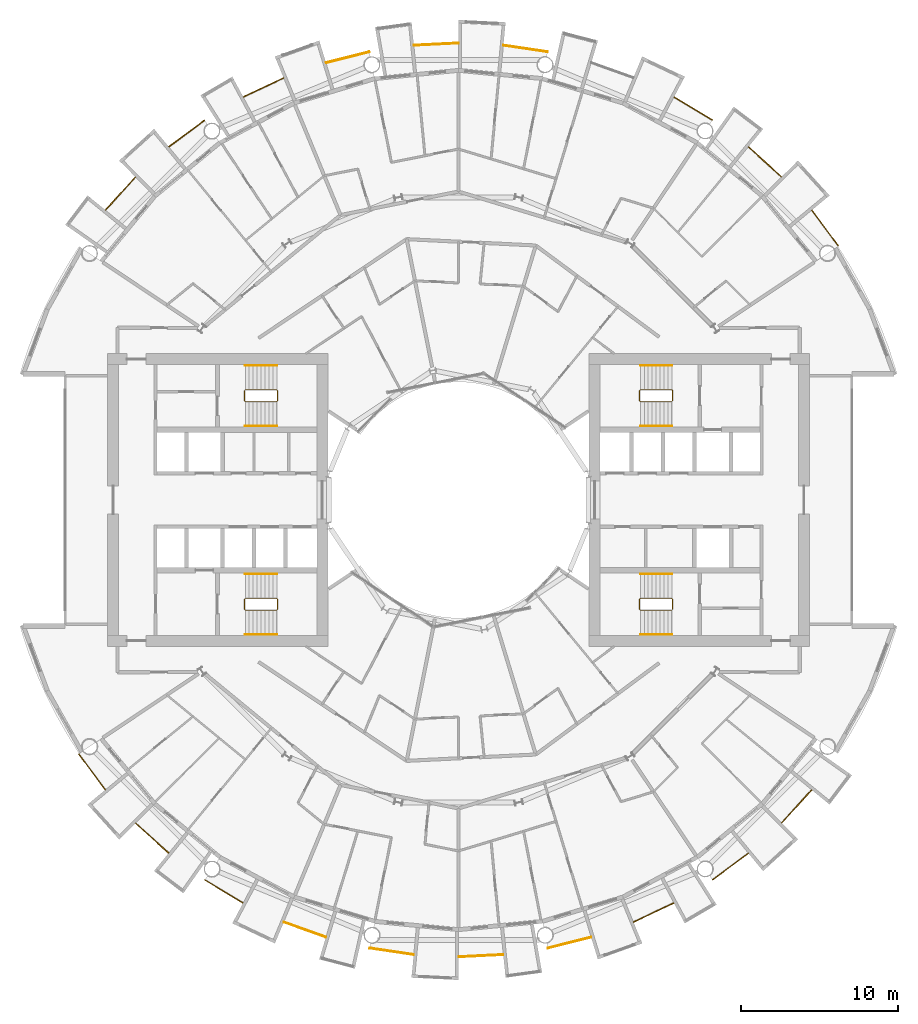
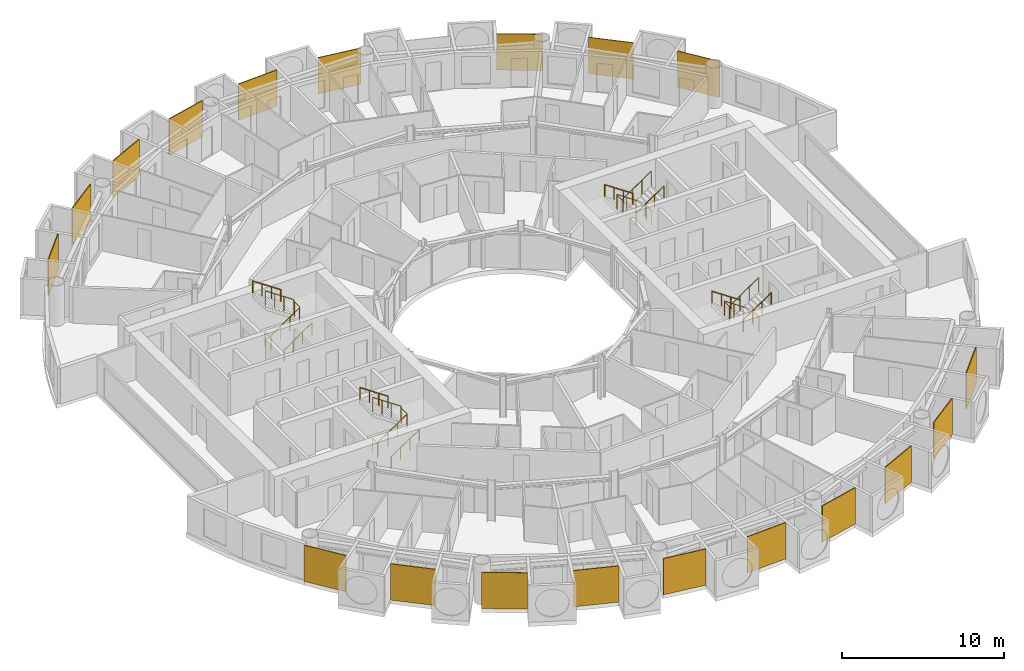
# One storey, part 25 of 26: 31 railings.
"""IFC4 building model written with IfcOpenShell, lengths in metres."""

from ifc_helpers import new_model, si_unit, direction, frame, origin, origin_2d, place, context, subcontext, project, spatial, polyline, circle, outline, extrude, material, layer, layer_set, type_object, element, save


model = new_model("IFC4")

# Units and contexts
model_context = context("Model", 3, precision=1e-05, world=origin(), true_north=direction((0.0, 1.0)))
body_context = subcontext(model_context, "Body", "Model", "MODEL_VIEW")
ifc_project = project(units=[si_unit("LENGTHUNIT", "METRE"), si_unit("AREAUNIT", "SQUARE_METRE"), si_unit("VOLUMEUNIT", "CUBIC_METRE"), si_unit("PLANEANGLEUNIT", "RADIAN"), si_unit("MASSUNIT", "GRAM", prefix="KILO")], contexts=[model_context])

# Site, building, storey
site_placement = place(None, origin())
site = spatial("IfcSite", under=ifc_project, at=site_placement, CompositionType="ELEMENT")
building_placement = place(site_placement, origin())
building = spatial("IfcBuilding", under=site, at=building_placement, Name="Maasbend Ring Residences", CompositionType="ELEMENT")
storey_placement = place(building_placement, frame((0.0, 0.0, 88.0)))
storey = spatial("IfcBuildingStorey", under=building, at=storey_placement, Name="L25", CompositionType="ELEMENT", Elevation=88.0)

# Railings
ifc_material_1 = material(Name="Pale anodised perforated aluminium", Category="aluminium")
ifc_layer = layer(ifc_material_1, 0.06005859375)
ifc_layer_set = layer_set([ifc_layer], Name="SCREEN-P")
railing_type_1 = type_object("IfcRailingType", Name="SCREEN-P", PredefinedType="GUARDRAIL", material=ifc_layer_set)
railing_1_placement = place(storey_placement, frame((0.0, 0.0, -0.030029296875)))
element("IfcRailing", 1, at=railing_1_placement, inside=storey, type_object=railing_type_1, Name="Perforated screen guard 1", PredefinedType="GUARDRAIL", context=body_context, shape_type="SweptSolid", body=[
    extrude(outline(polyline([(24.113037109375, 16.112060546875), (22.4169921875, 18.39697265625), (22.465087890625, 18.43310546875), (24.160888671875, 16.14697265625), (24.113037109375, 16.112060546875)])), origin(), (0.0, 0.0, 1.0), 2.72998046875),
])
railing_2_placement = place(storey_placement, frame((0.0, 0.0, -0.030029296875)))
element("IfcRailing", 2, at=railing_2_placement, inside=storey, type_object=railing_type_1, Name="Perforated screen guard 2", PredefinedType="GUARDRAIL", context=body_context, shape_type="SweptSolid", body=[
    extrude(outline(polyline([(20.506103515625, 20.506103515625), (18.39697265625, 22.4169921875), (18.43798828125, 22.4619140625), (20.5458984375, 20.551025390625), (20.506103515625, 20.506103515625)])), origin(), (0.0, 0.0, 1.0), 2.72998046875),
])
railing_3_placement = place(storey_placement, frame((0.0, 0.0, -0.030029296875)))
element("IfcRailing", 3, at=railing_3_placement, inside=storey, type_object=railing_type_1, Name="Perforated screen guard 3", PredefinedType="GUARDRAIL", context=body_context, shape_type="SweptSolid", body=[
    extrude(outline(polyline([(16.112060546875, 24.113037109375), (13.6708984375, 25.575927734375), (13.700927734375, 25.626953125), (16.14208984375, 24.1640625), (16.112060546875, 24.113037109375)])), origin(), (0.0, 0.0, 1.0), 2.72998046875),
])
railing_4_placement = place(storey_placement, frame((0.0, 0.0, -0.030029296875)))
element("IfcRailing", 4, at=railing_4_placement, inside=storey, type_object=railing_type_1, Name="Perforated screen guard 5", PredefinedType="GUARDRAIL", context=body_context, shape_type="SweptSolid", body=[
    extrude(outline(polyline([(5.657958984375, 28.443115234375), (2.842041015625, 28.860107421875), (2.85107421875, 28.919921875), (5.666015625, 28.501953125), (5.657958984375, 28.443115234375)])), origin(), (0.0, 0.0, 1.0), 2.72998046875),
])
railing_5_placement = place(storey_placement, frame((0.0, 0.0, -0.030029296875)))
element("IfcRailing", 5, at=railing_5_placement, inside=storey, type_object=railing_type_1, Name="Perforated screen guard 6", PredefinedType="GUARDRAIL", context=body_context, shape_type="SweptSolid", body=[
    extrude(outline(polyline([(0.0, 29.0), (-2.842041015625, 28.860107421875), (-2.844970703125, 28.919921875), (-0.0029296875, 29.06005859375), (0.0, 29.0)])), origin(), (0.0, 0.0, 1.0), 2.72998046875),
])
railing_6_placement = place(storey_placement, frame((0.0, 0.0, -0.030029296875)))
element("IfcRailing", 6, at=railing_6_placement, inside=storey, type_object=railing_type_1, Name="Perforated screen guard 7", PredefinedType="GUARDRAIL", context=body_context, shape_type="SweptSolid", body=[
    extrude(outline(polyline([(-5.657958984375, 28.443115234375), (-8.41796875, 27.7509765625), (-8.43310546875, 27.80908203125), (-5.672119140625, 28.5009765625), (-5.657958984375, 28.443115234375)])), origin(), (0.0, 0.0, 1.0), 2.72998046875),
])
railing_7_placement = place(storey_placement, frame((0.0, 0.0, -0.030029296875)))
element("IfcRailing", 7, at=railing_7_placement, inside=storey, type_object=railing_type_1, Name="Perforated screen guard 8", PredefinedType="GUARDRAIL", context=body_context, shape_type="SweptSolid", body=[
    extrude(outline(polyline([(-11.097900390625, 26.79296875), (-13.6708984375, 25.575927734375), (-13.696044921875, 25.6298828125), (-11.123046875, 26.846923828125), (-11.097900390625, 26.79296875)])), origin(), (0.0, 0.0, 1.0), 2.72998046875),
])
railing_8_placement = place(storey_placement, frame((0.0, 0.0, -0.030029296875)))
element("IfcRailing", 8, at=railing_8_placement, inside=storey, type_object=railing_type_1, Name="Perforated screen guard 9", PredefinedType="GUARDRAIL", context=body_context, shape_type="SweptSolid", body=[
    extrude(outline(polyline([(-16.112060546875, 24.113037109375), (-18.39697265625, 22.4169921875), (-18.43310546875, 22.465087890625), (-16.14697265625, 24.160888671875), (-16.112060546875, 24.113037109375)])), origin(), (0.0, 0.0, 1.0), 2.72998046875),
])
railing_9_placement = place(storey_placement, frame((0.0, 0.0, -0.030029296875)))
element("IfcRailing", 9, at=railing_9_placement, inside=storey, type_object=railing_type_1, Name="Perforated screen guard 10", PredefinedType="GUARDRAIL", context=body_context, shape_type="SweptSolid", body=[
    extrude(outline(polyline([(-20.506103515625, 20.506103515625), (-22.4169921875, 18.39697265625), (-22.4619140625, 18.43798828125), (-20.551025390625, 20.5458984375), (-20.506103515625, 20.506103515625)])), origin(), (0.0, 0.0, 1.0), 2.72998046875),
])
railing_10_placement = place(storey_placement, frame((0.0, 0.0, -0.030029296875)))
element("IfcRailing", 10, at=railing_10_placement, inside=storey, type_object=railing_type_1, Name="Perforated screen guard 1", PredefinedType="GUARDRAIL", context=body_context, shape_type="SweptSolid", body=[
    extrude(outline(polyline([(-24.113037109375, -16.112060546875), (-22.4169921875, -18.39697265625), (-22.465087890625, -18.43310546875), (-24.160888671875, -16.14697265625), (-24.113037109375, -16.112060546875)])), origin(), (0.0, 0.0, 1.0), 2.72998046875),
])
railing_11_placement = place(storey_placement, frame((0.0, 0.0, -0.030029296875)))
element("IfcRailing", 11, at=railing_11_placement, inside=storey, type_object=railing_type_1, Name="Perforated screen guard 2", PredefinedType="GUARDRAIL", context=body_context, shape_type="SweptSolid", body=[
    extrude(outline(polyline([(-20.506103515625, -20.506103515625), (-18.39697265625, -22.4169921875), (-18.43798828125, -22.4619140625), (-20.5458984375, -20.551025390625), (-20.506103515625, -20.506103515625)])), origin(), (0.0, 0.0, 1.0), 2.72998046875),
])
railing_12_placement = place(storey_placement, frame((0.0, 0.0, -0.030029296875)))
element("IfcRailing", 12, at=railing_12_placement, inside=storey, type_object=railing_type_1, Name="Perforated screen guard 3", PredefinedType="GUARDRAIL", context=body_context, shape_type="SweptSolid", body=[
    extrude(outline(polyline([(-16.112060546875, -24.113037109375), (-13.6708984375, -25.575927734375), (-13.700927734375, -25.626953125), (-16.14208984375, -24.1640625), (-16.112060546875, -24.113037109375)])), origin(), (0.0, 0.0, 1.0), 2.72998046875),
])
railing_13_placement = place(storey_placement, frame((0.0, 0.0, -0.030029296875)))
element("IfcRailing", 13, at=railing_13_placement, inside=storey, type_object=railing_type_1, Name="Perforated screen guard 4", PredefinedType="GUARDRAIL", context=body_context, shape_type="SweptSolid", body=[
    extrude(outline(polyline([(-11.097900390625, -26.79296875), (-8.41796875, -27.7509765625), (-8.43798828125, -27.80810546875), (-11.117919921875, -26.84912109375), (-11.097900390625, -26.79296875)])), origin(), (0.0, 0.0, 1.0), 2.72998046875),
])
railing_14_placement = place(storey_placement, frame((0.0, 0.0, -0.030029296875)))
element("IfcRailing", 14, at=railing_14_placement, inside=storey, type_object=railing_type_1, Name="Perforated screen guard 5", PredefinedType="GUARDRAIL", context=body_context, shape_type="SweptSolid", body=[
    extrude(outline(polyline([(-5.657958984375, -28.443115234375), (-2.842041015625, -28.860107421875), (-2.85107421875, -28.919921875), (-5.666015625, -28.501953125), (-5.657958984375, -28.443115234375)])), origin(), (0.0, 0.0, 1.0), 2.72998046875),
])
railing_15_placement = place(storey_placement, frame((0.0, 0.0, -0.030029296875)))
element("IfcRailing", 15, at=railing_15_placement, inside=storey, type_object=railing_type_1, Name="Perforated screen guard 6", PredefinedType="GUARDRAIL", context=body_context, shape_type="SweptSolid", body=[
    extrude(outline(polyline([(0.0, -29.0), (2.842041015625, -28.860107421875), (2.844970703125, -28.919921875), (0.0029296875, -29.06005859375), (0.0, -29.0)])), origin(), (0.0, 0.0, 1.0), 2.72998046875),
])
railing_16_placement = place(storey_placement, frame((0.0, 0.0, -0.030029296875)))
element("IfcRailing", 16, at=railing_16_placement, inside=storey, type_object=railing_type_1, Name="Perforated screen guard 7", PredefinedType="GUARDRAIL", context=body_context, shape_type="SweptSolid", body=[
    extrude(outline(polyline([(5.657958984375, -28.443115234375), (8.41796875, -27.7509765625), (8.43310546875, -27.80908203125), (5.672119140625, -28.5009765625), (5.657958984375, -28.443115234375)])), origin(), (0.0, 0.0, 1.0), 2.72998046875),
])
railing_17_placement = place(storey_placement, frame((0.0, 0.0, -0.030029296875)))
element("IfcRailing", 17, at=railing_17_placement, inside=storey, type_object=railing_type_1, Name="Perforated screen guard 8", PredefinedType="GUARDRAIL", context=body_context, shape_type="SweptSolid", body=[
    extrude(outline(polyline([(11.097900390625, -26.79296875), (13.6708984375, -25.575927734375), (13.696044921875, -25.6298828125), (11.123046875, -26.846923828125), (11.097900390625, -26.79296875)])), origin(), (0.0, 0.0, 1.0), 2.72998046875),
])
railing_18_placement = place(storey_placement, frame((0.0, 0.0, -0.030029296875)))
element("IfcRailing", 18, at=railing_18_placement, inside=storey, type_object=railing_type_1, Name="Perforated screen guard 9", PredefinedType="GUARDRAIL", context=body_context, shape_type="SweptSolid", body=[
    extrude(outline(polyline([(16.112060546875, -24.113037109375), (18.39697265625, -22.4169921875), (18.43310546875, -22.465087890625), (16.14697265625, -24.160888671875), (16.112060546875, -24.113037109375)])), origin(), (0.0, 0.0, 1.0), 2.72998046875),
])
railing_19_placement = place(storey_placement, frame((0.0, 0.0, -0.030029296875)))
element("IfcRailing", 19, at=railing_19_placement, inside=storey, type_object=railing_type_1, Name="Perforated screen guard 10", PredefinedType="GUARDRAIL", context=body_context, shape_type="SweptSolid", body=[
    extrude(outline(polyline([(20.506103515625, -20.506103515625), (22.4169921875, -18.39697265625), (22.4619140625, -18.43798828125), (20.551025390625, -20.5458984375), (20.506103515625, -20.506103515625)])), origin(), (0.0, 0.0, 1.0), 2.72998046875),
])
ifc_material_2 = material(Name="Stainless steel 316", Category="steel")
railing_type_2 = type_object("IfcRailingType", Name="STAIR GUARD 1100", PredefinedType="GUARDRAIL", material=ifc_material_2)
railing_20_placement = place(storey_placement, frame((13.60009765625, 6.300048828125, 0.0)))
element("IfcRailing", 20, at=railing_20_placement, inside=storey, type_object=railing_type_2, Name="L25 ST-E1 stair guard 1", PredefinedType="GUARDRAIL", context=body_context, shape_type="SweptSolid", body=[
    extrude(circle(Radius=0.02392578125, at=origin_2d()), frame((0.0, 0.0, 1.076171875), z_axis=(0.0, 1.0, 0.0), x_axis=(-1.0, 0.0, 0.0)), (0.0, 0.0, 1.0), 0.64990234375),
    extrude(circle(Radius=0.02392578125, at=origin_2d()), frame((0.0, 0.64990234375, 1.076171875), z_axis=(-0.272562526181, 0.272562526181, 0.92272386912), x_axis=(-0.707106781187, -0.707106781187, 0.0)), (0.0, 0.0, 1.0), 0.18359375),
    extrude(circle(Radius=0.02392578125, at=origin_2d()), frame((-0.050048828125, 0.699951171875, 1.24560546875), z_axis=(-0.827797584762, 0.0, 0.561026878735), x_axis=(0.0, -1.0, 0.0)), (0.0, 0.0, 1.0), 2.416015625),
    extrude(circle(Radius=0.02392578125, at=origin_2d()), frame((-2.050048828125, 0.699951171875, 2.60107421875), z_axis=(-0.707106781187, -0.707106781187, 0.0), x_axis=(0.707106781187, -0.707106781187, 0.0)), (0.0, 0.0, 1.0), 0.07080078125),
    extrude(circle(Radius=0.02392578125, at=origin_2d()), frame((-2.10009765625, 0.64990234375, 2.60107421875), z_axis=(0.0, -1.0, 0.0), x_axis=(1.0, 0.0, 0.0)), (0.0, 0.0, 1.0), 0.64990234375),
    extrude(circle(Radius=0.02392578125, at=origin_2d()), frame((-2.10009765625, 0.0, 2.60107421875), z_axis=(0.272562526181, -0.272562526181, 0.92272386912), x_axis=(0.707106781187, 0.707106781187, 0.0)), (0.0, 0.0, 1.0), 0.18359375),
    extrude(circle(Radius=0.02392578125, at=origin_2d()), frame((-2.050048828125, -0.050048828125, 2.7705078125), z_axis=(0.827750655447, 0.0, 0.561096116906), x_axis=(0.0, 1.0, 0.0)), (0.0, 0.0, 1.0), 2.416259765625),
    extrude(circle(Radius=0.02099609375, at=origin_2d()), origin(), (0.0, 0.0, 1.0), 1.052001953125),
    extrude(circle(Radius=0.02099609375, at=origin_2d()), frame((0.0, 0.64990234375, 0.0)), (0.0, 0.0, 1.0), 1.052001953125),
    extrude(circle(Radius=0.02099609375, at=origin_2d()), frame((-0.050048828125, 0.699951171875, 0.16943359375)), (0.0, 0.0, 1.0), 1.052001953125),
    extrude(circle(Radius=0.02099609375, at=origin_2d()), frame((-0.716796875, 0.699951171875, 0.621337890625)), (0.0, 0.0, 1.0), 1.052001953125),
    extrude(circle(Radius=0.02099609375, at=origin_2d()), frame((-1.38330078125, 0.699951171875, 1.072998046875)), (0.0, 0.0, 1.0), 1.052001953125),
    extrude(circle(Radius=0.02099609375, at=origin_2d()), frame((-2.050048828125, 0.699951171875, 1.52490234375)), (0.0, 0.0, 1.0), 1.052001953125),
    extrude(circle(Radius=0.02099609375, at=origin_2d()), frame((-2.10009765625, 0.64990234375, 1.52490234375)), (0.0, 0.0, 1.0), 1.052001953125),
    extrude(circle(Radius=0.02099609375, at=origin_2d()), frame((-2.10009765625, 0.0, 1.52490234375)), (0.0, 0.0, 1.0), 1.052001953125),
    extrude(circle(Radius=0.02099609375, at=origin_2d()), frame((-2.050048828125, -0.050048828125, 1.6943359375)), (0.0, 0.0, 1.0), 1.052001953125),
    extrude(circle(Radius=0.02099609375, at=origin_2d()), frame((-1.38330078125, -0.050048828125, 2.146240234375)), (0.0, 0.0, 1.0), 1.052001953125),
    extrude(circle(Radius=0.02099609375, at=origin_2d()), frame((-0.716796875, -0.050048828125, 2.59814453125)), (0.0, 0.0, 1.0), 1.052001953125),
    extrude(circle(Radius=0.02099609375, at=origin_2d()), frame((-0.050048828125, -0.050048828125, 3.050048828125)), (0.0, 0.0, 1.0), 1.052001953125),
])
railing_21_placement = place(storey_placement, frame((13.60009765625, -6.949951171875, 0.0)))
element("IfcRailing", 21, at=railing_21_placement, inside=storey, type_object=railing_type_2, Name="L25 ST-E2 stair guard 1", PredefinedType="GUARDRAIL", context=body_context, shape_type="SweptSolid", body=[
    extrude(circle(Radius=0.02392578125, at=origin_2d()), frame((0.0, 0.0, 1.076171875), z_axis=(0.0, 1.0, 0.0), x_axis=(-1.0, 0.0, 0.0)), (0.0, 0.0, 1.0), 0.64990234375),
    extrude(circle(Radius=0.02392578125, at=origin_2d()), frame((0.0, 0.64990234375, 1.076171875), z_axis=(-0.272562526181, 0.272562526181, 0.92272386912), x_axis=(-0.707106781187, -0.707106781187, 0.0)), (0.0, 0.0, 1.0), 0.18359375),
    extrude(circle(Radius=0.02392578125, at=origin_2d()), frame((-0.050048828125, 0.699951171875, 1.24560546875), z_axis=(-0.827797584762, 0.0, 0.561026878735), x_axis=(0.0, -1.0, 0.0)), (0.0, 0.0, 1.0), 2.416015625),
    extrude(circle(Radius=0.02392578125, at=origin_2d()), frame((-2.050048828125, 0.699951171875, 2.60107421875), z_axis=(-0.707106781187, -0.707106781187, 0.0), x_axis=(0.707106781187, -0.707106781187, 0.0)), (0.0, 0.0, 1.0), 0.07080078125),
    extrude(circle(Radius=0.02392578125, at=origin_2d()), frame((-2.10009765625, 0.64990234375, 2.60107421875), z_axis=(0.0, -1.0, 0.0), x_axis=(1.0, 0.0, 0.0)), (0.0, 0.0, 1.0), 0.64990234375),
    extrude(circle(Radius=0.02392578125, at=origin_2d()), frame((-2.10009765625, 0.0, 2.60107421875), z_axis=(0.272562526181, -0.272562526181, 0.92272386912), x_axis=(0.707106781187, 0.707106781187, 0.0)), (0.0, 0.0, 1.0), 0.18359375),
    extrude(circle(Radius=0.02392578125, at=origin_2d()), frame((-2.050048828125, -0.050048828125, 2.7705078125), z_axis=(0.827750655447, 0.0, 0.561096116906), x_axis=(0.0, 1.0, 0.0)), (0.0, 0.0, 1.0), 2.416259765625),
    extrude(circle(Radius=0.02099609375, at=origin_2d()), origin(), (0.0, 0.0, 1.0), 1.052001953125),
    extrude(circle(Radius=0.02099609375, at=origin_2d()), frame((0.0, 0.64990234375, 0.0)), (0.0, 0.0, 1.0), 1.052001953125),
    extrude(circle(Radius=0.02099609375, at=origin_2d()), frame((-0.050048828125, 0.699951171875, 0.16943359375)), (0.0, 0.0, 1.0), 1.052001953125),
    extrude(circle(Radius=0.02099609375, at=origin_2d()), frame((-0.716796875, 0.699951171875, 0.621337890625)), (0.0, 0.0, 1.0), 1.052001953125),
    extrude(circle(Radius=0.02099609375, at=origin_2d()), frame((-1.38330078125, 0.699951171875, 1.072998046875)), (0.0, 0.0, 1.0), 1.052001953125),
    extrude(circle(Radius=0.02099609375, at=origin_2d()), frame((-2.050048828125, 0.699951171875, 1.52490234375)), (0.0, 0.0, 1.0), 1.052001953125),
    extrude(circle(Radius=0.02099609375, at=origin_2d()), frame((-2.10009765625, 0.64990234375, 1.52490234375)), (0.0, 0.0, 1.0), 1.052001953125),
    extrude(circle(Radius=0.02099609375, at=origin_2d()), frame((-2.10009765625, 0.0, 1.52490234375)), (0.0, 0.0, 1.0), 1.052001953125),
    extrude(circle(Radius=0.02099609375, at=origin_2d()), frame((-2.050048828125, -0.050048828125, 1.6943359375)), (0.0, 0.0, 1.0), 1.052001953125),
    extrude(circle(Radius=0.02099609375, at=origin_2d()), frame((-1.38330078125, -0.050048828125, 2.146240234375)), (0.0, 0.0, 1.0), 1.052001953125),
    extrude(circle(Radius=0.02099609375, at=origin_2d()), frame((-0.716796875, -0.050048828125, 2.59814453125)), (0.0, 0.0, 1.0), 1.052001953125),
    extrude(circle(Radius=0.02099609375, at=origin_2d()), frame((-0.050048828125, -0.050048828125, 3.050048828125)), (0.0, 0.0, 1.0), 1.052001953125),
])
railing_22_placement = place(storey_placement, frame((-13.60009765625, -6.300048828125, 0.0)))
element("IfcRailing", 22, at=railing_22_placement, inside=storey, type_object=railing_type_2, Name="L25 ST-W1 stair guard 1", PredefinedType="GUARDRAIL", context=body_context, shape_type="SweptSolid", body=[
    extrude(circle(Radius=0.02392578125, at=origin_2d()), frame((0.0, 0.0, 1.076171875), z_axis=(0.0, -1.0, 0.0), x_axis=(1.0, 0.0, 0.0)), (0.0, 0.0, 1.0), 0.64990234375),
    extrude(circle(Radius=0.02392578125, at=origin_2d()), frame((0.0, -0.64990234375, 1.076171875), z_axis=(0.272562526181, -0.272562526181, 0.92272386912), x_axis=(0.707106781187, 0.707106781187, 0.0)), (0.0, 0.0, 1.0), 0.18359375),
    extrude(circle(Radius=0.02392578125, at=origin_2d()), frame((0.050048828125, -0.699951171875, 1.24560546875), z_axis=(0.827797584762, 0.0, 0.561026878735), x_axis=(0.0, 1.0, 0.0)), (0.0, 0.0, 1.0), 2.416015625),
    extrude(circle(Radius=0.02392578125, at=origin_2d()), frame((2.050048828125, -0.699951171875, 2.60107421875), z_axis=(0.707106781187, 0.707106781187, 0.0), x_axis=(-0.707106781187, 0.707106781187, 0.0)), (0.0, 0.0, 1.0), 0.07080078125),
    extrude(circle(Radius=0.02392578125, at=origin_2d()), frame((2.10009765625, -0.64990234375, 2.60107421875), z_axis=(0.0, 1.0, 0.0), x_axis=(-1.0, 0.0, 0.0)), (0.0, 0.0, 1.0), 0.64990234375),
    extrude(circle(Radius=0.02392578125, at=origin_2d()), frame((2.10009765625, 0.0, 2.60107421875), z_axis=(-0.272562526181, 0.272562526181, 0.92272386912), x_axis=(-0.707106781187, -0.707106781187, 0.0)), (0.0, 0.0, 1.0), 0.18359375),
    extrude(circle(Radius=0.02392578125, at=origin_2d()), frame((2.050048828125, 0.050048828125, 2.7705078125), z_axis=(-0.827750655447, 0.0, 0.561096116906), x_axis=(0.0, -1.0, 0.0)), (0.0, 0.0, 1.0), 2.416259765625),
    extrude(circle(Radius=0.02099609375, at=origin_2d()), origin(), (0.0, 0.0, 1.0), 1.052001953125),
    extrude(circle(Radius=0.02099609375, at=origin_2d()), frame((0.0, -0.64990234375, 0.0)), (0.0, 0.0, 1.0), 1.052001953125),
    extrude(circle(Radius=0.02099609375, at=origin_2d()), frame((0.050048828125, -0.699951171875, 0.16943359375)), (0.0, 0.0, 1.0), 1.052001953125),
    extrude(circle(Radius=0.02099609375, at=origin_2d()), frame((0.716796875, -0.699951171875, 0.621337890625)), (0.0, 0.0, 1.0), 1.052001953125),
    extrude(circle(Radius=0.02099609375, at=origin_2d()), frame((1.38330078125, -0.699951171875, 1.072998046875)), (0.0, 0.0, 1.0), 1.052001953125),
    extrude(circle(Radius=0.02099609375, at=origin_2d()), frame((2.050048828125, -0.699951171875, 1.52490234375)), (0.0, 0.0, 1.0), 1.052001953125),
    extrude(circle(Radius=0.02099609375, at=origin_2d()), frame((2.10009765625, -0.64990234375, 1.52490234375)), (0.0, 0.0, 1.0), 1.052001953125),
    extrude(circle(Radius=0.02099609375, at=origin_2d()), frame((2.10009765625, 0.0, 1.52490234375)), (0.0, 0.0, 1.0), 1.052001953125),
    extrude(circle(Radius=0.02099609375, at=origin_2d()), frame((2.050048828125, 0.050048828125, 1.6943359375)), (0.0, 0.0, 1.0), 1.052001953125),
    extrude(circle(Radius=0.02099609375, at=origin_2d()), frame((1.38330078125, 0.050048828125, 2.146240234375)), (0.0, 0.0, 1.0), 1.052001953125),
    extrude(circle(Radius=0.02099609375, at=origin_2d()), frame((0.716796875, 0.050048828125, 2.59814453125)), (0.0, 0.0, 1.0), 1.052001953125),
    extrude(circle(Radius=0.02099609375, at=origin_2d()), frame((0.050048828125, 0.050048828125, 3.050048828125)), (0.0, 0.0, 1.0), 1.052001953125),
])
railing_23_placement = place(storey_placement, frame((-13.60009765625, 6.949951171875, 0.0)))
element("IfcRailing", 23, at=railing_23_placement, inside=storey, type_object=railing_type_2, Name="L25 ST-W2 stair guard 1", PredefinedType="GUARDRAIL", context=body_context, shape_type="SweptSolid", body=[
    extrude(circle(Radius=0.02392578125, at=origin_2d()), frame((0.0, 0.0, 1.076171875), z_axis=(0.0, -1.0, 0.0), x_axis=(1.0, 0.0, 0.0)), (0.0, 0.0, 1.0), 0.64990234375),
    extrude(circle(Radius=0.02392578125, at=origin_2d()), frame((0.0, -0.64990234375, 1.076171875), z_axis=(0.272562526181, -0.272562526181, 0.92272386912), x_axis=(0.707106781187, 0.707106781187, 0.0)), (0.0, 0.0, 1.0), 0.18359375),
    extrude(circle(Radius=0.02392578125, at=origin_2d()), frame((0.050048828125, -0.699951171875, 1.24560546875), z_axis=(0.827797584762, 0.0, 0.561026878735), x_axis=(0.0, 1.0, 0.0)), (0.0, 0.0, 1.0), 2.416015625),
    extrude(circle(Radius=0.02392578125, at=origin_2d()), frame((2.050048828125, -0.699951171875, 2.60107421875), z_axis=(0.707106781187, 0.707106781187, 0.0), x_axis=(-0.707106781187, 0.707106781187, 0.0)), (0.0, 0.0, 1.0), 0.07080078125),
    extrude(circle(Radius=0.02392578125, at=origin_2d()), frame((2.10009765625, -0.64990234375, 2.60107421875), z_axis=(0.0, 1.0, 0.0), x_axis=(-1.0, 0.0, 0.0)), (0.0, 0.0, 1.0), 0.64990234375),
    extrude(circle(Radius=0.02392578125, at=origin_2d()), frame((2.10009765625, 0.0, 2.60107421875), z_axis=(-0.272562526181, 0.272562526181, 0.92272386912), x_axis=(-0.707106781187, -0.707106781187, 0.0)), (0.0, 0.0, 1.0), 0.18359375),
    extrude(circle(Radius=0.02392578125, at=origin_2d()), frame((2.050048828125, 0.050048828125, 2.7705078125), z_axis=(-0.827750655447, 0.0, 0.561096116906), x_axis=(0.0, -1.0, 0.0)), (0.0, 0.0, 1.0), 2.416259765625),
    extrude(circle(Radius=0.02099609375, at=origin_2d()), origin(), (0.0, 0.0, 1.0), 1.052001953125),
    extrude(circle(Radius=0.02099609375, at=origin_2d()), frame((0.0, -0.64990234375, 0.0)), (0.0, 0.0, 1.0), 1.052001953125),
    extrude(circle(Radius=0.02099609375, at=origin_2d()), frame((0.050048828125, -0.699951171875, 0.16943359375)), (0.0, 0.0, 1.0), 1.052001953125),
    extrude(circle(Radius=0.02099609375, at=origin_2d()), frame((0.716796875, -0.699951171875, 0.621337890625)), (0.0, 0.0, 1.0), 1.052001953125),
    extrude(circle(Radius=0.02099609375, at=origin_2d()), frame((1.38330078125, -0.699951171875, 1.072998046875)), (0.0, 0.0, 1.0), 1.052001953125),
    extrude(circle(Radius=0.02099609375, at=origin_2d()), frame((2.050048828125, -0.699951171875, 1.52490234375)), (0.0, 0.0, 1.0), 1.052001953125),
    extrude(circle(Radius=0.02099609375, at=origin_2d()), frame((2.10009765625, -0.64990234375, 1.52490234375)), (0.0, 0.0, 1.0), 1.052001953125),
    extrude(circle(Radius=0.02099609375, at=origin_2d()), frame((2.10009765625, 0.0, 1.52490234375)), (0.0, 0.0, 1.0), 1.052001953125),
    extrude(circle(Radius=0.02099609375, at=origin_2d()), frame((2.050048828125, 0.050048828125, 1.6943359375)), (0.0, 0.0, 1.0), 1.052001953125),
    extrude(circle(Radius=0.02099609375, at=origin_2d()), frame((1.38330078125, 0.050048828125, 2.146240234375)), (0.0, 0.0, 1.0), 1.052001953125),
    extrude(circle(Radius=0.02099609375, at=origin_2d()), frame((0.716796875, 0.050048828125, 2.59814453125)), (0.0, 0.0, 1.0), 1.052001953125),
    extrude(circle(Radius=0.02099609375, at=origin_2d()), frame((0.050048828125, 0.050048828125, 3.050048828125)), (0.0, 0.0, 1.0), 1.052001953125),
])
ifc_material_3 = material(Name="Stainless steel 316", Category="steel")
railing_type_3 = type_object("IfcRailingType", Name="STAIR HANDRAIL 900", PredefinedType="HANDRAIL", material=ifc_material_3)
railing_24_placement = place(storey_placement, frame((13.550048828125, 8.550048828125, 0.16943359375)))
element("IfcRailing", 24, at=railing_24_placement, inside=storey, type_object=railing_type_3, Name="L25 ST-E1 stair handrail 1", PredefinedType="HANDRAIL", context=body_context, shape_type="SweptSolid", body=[
    extrude(circle(Radius=0.02392578125, at=origin_2d()), frame((0.0, 0.0, 0.8759765625), z_axis=(-0.827797584762, 0.0, 0.561026878735), x_axis=(0.0, -1.0, 0.0)), (0.0, 0.0, 1.0), 2.416015625),
    extrude(circle(Radius=0.02099609375, at=origin_2d()), origin(), (0.0, 0.0, 1.0), 0.851806640625),
    extrude(circle(Radius=0.02099609375, at=origin_2d()), frame((-0.666748046875, 0.0, 0.451904296875)), (0.0, 0.0, 1.0), 0.851806640625),
    extrude(circle(Radius=0.02099609375, at=origin_2d()), frame((-1.333251953125, 0.0, 0.903564453125)), (0.0, 0.0, 1.0), 0.851806640625),
    extrude(circle(Radius=0.02099609375, at=origin_2d()), frame((-2.0, 0.0, 1.35546875)), (0.0, 0.0, 1.0), 0.851806640625),
])
railing_25_placement = place(storey_placement, frame((11.550048828125, 4.699951171875, 1.6943359375)))
element("IfcRailing", 25, at=railing_25_placement, inside=storey, type_object=railing_type_3, Name="L25 ST-E1 stair handrail 2", PredefinedType="HANDRAIL", context=body_context, shape_type="SweptSolid", body=[
    extrude(circle(Radius=0.02392578125, at=origin_2d()), frame((0.0, 0.0, 0.8759765625), z_axis=(0.827750655447, 0.0, 0.561096116906), x_axis=(0.0, 1.0, 0.0)), (0.0, 0.0, 1.0), 2.416259765625),
    extrude(circle(Radius=0.02099609375, at=origin_2d()), origin(), (0.0, 0.0, 1.0), 0.851806640625),
    extrude(circle(Radius=0.02099609375, at=origin_2d()), frame((0.666748046875, 0.0, 0.451904296875)), (0.0, 0.0, 1.0), 0.851806640625),
    extrude(circle(Radius=0.02099609375, at=origin_2d()), frame((1.333251953125, 0.0, 0.90380859375)), (0.0, 0.0, 1.0), 0.851806640625),
    extrude(circle(Radius=0.02099609375, at=origin_2d()), frame((2.0, 0.0, 1.355712890625)), (0.0, 0.0, 1.0), 0.851806640625),
])
railing_26_placement = place(storey_placement, frame((13.550048828125, -4.699951171875, 0.16943359375)))
element("IfcRailing", 26, at=railing_26_placement, inside=storey, type_object=railing_type_3, Name="L25 ST-E2 stair handrail 1", PredefinedType="HANDRAIL", context=body_context, shape_type="SweptSolid", body=[
    extrude(circle(Radius=0.02392578125, at=origin_2d()), frame((0.0, 0.0, 0.8759765625), z_axis=(-0.827797584762, 0.0, 0.561026878735), x_axis=(0.0, -1.0, 0.0)), (0.0, 0.0, 1.0), 2.416015625),
    extrude(circle(Radius=0.02099609375, at=origin_2d()), origin(), (0.0, 0.0, 1.0), 0.851806640625),
    extrude(circle(Radius=0.02099609375, at=origin_2d()), frame((-0.666748046875, 0.0, 0.451904296875)), (0.0, 0.0, 1.0), 0.851806640625),
    extrude(circle(Radius=0.02099609375, at=origin_2d()), frame((-1.333251953125, 0.0, 0.903564453125)), (0.0, 0.0, 1.0), 0.851806640625),
    extrude(circle(Radius=0.02099609375, at=origin_2d()), frame((-2.0, 0.0, 1.35546875)), (0.0, 0.0, 1.0), 0.851806640625),
])
railing_27_placement = place(storey_placement, frame((11.550048828125, -8.550048828125, 1.6943359375)))
element("IfcRailing", 27, at=railing_27_placement, inside=storey, type_object=railing_type_3, Name="L25 ST-E2 stair handrail 2", PredefinedType="HANDRAIL", context=body_context, shape_type="SweptSolid", body=[
    extrude(circle(Radius=0.02392578125, at=origin_2d()), frame((0.0, 0.0, 0.8759765625), z_axis=(0.827750655447, 0.0, 0.561096116906), x_axis=(0.0, 1.0, 0.0)), (0.0, 0.0, 1.0), 2.416259765625),
    extrude(circle(Radius=0.02099609375, at=origin_2d()), origin(), (0.0, 0.0, 1.0), 0.851806640625),
    extrude(circle(Radius=0.02099609375, at=origin_2d()), frame((0.666748046875, 0.0, 0.451904296875)), (0.0, 0.0, 1.0), 0.851806640625),
    extrude(circle(Radius=0.02099609375, at=origin_2d()), frame((1.333251953125, 0.0, 0.90380859375)), (0.0, 0.0, 1.0), 0.851806640625),
    extrude(circle(Radius=0.02099609375, at=origin_2d()), frame((2.0, 0.0, 1.355712890625)), (0.0, 0.0, 1.0), 0.851806640625),
])
railing_28_placement = place(storey_placement, frame((-13.550048828125, -8.550048828125, 0.16943359375)))
element("IfcRailing", 28, at=railing_28_placement, inside=storey, type_object=railing_type_3, Name="L25 ST-W1 stair handrail 1", PredefinedType="HANDRAIL", context=body_context, shape_type="SweptSolid", body=[
    extrude(circle(Radius=0.02392578125, at=origin_2d()), frame((0.0, 0.0, 0.8759765625), z_axis=(0.827797584762, 0.0, 0.561026878735), x_axis=(0.0, 1.0, 0.0)), (0.0, 0.0, 1.0), 2.416015625),
    extrude(circle(Radius=0.02099609375, at=origin_2d()), origin(), (0.0, 0.0, 1.0), 0.851806640625),
    extrude(circle(Radius=0.02099609375, at=origin_2d()), frame((0.666748046875, 0.0, 0.451904296875)), (0.0, 0.0, 1.0), 0.851806640625),
    extrude(circle(Radius=0.02099609375, at=origin_2d()), frame((1.333251953125, 0.0, 0.903564453125)), (0.0, 0.0, 1.0), 0.851806640625),
    extrude(circle(Radius=0.02099609375, at=origin_2d()), frame((2.0, 0.0, 1.35546875)), (0.0, 0.0, 1.0), 0.851806640625),
])
railing_29_placement = place(storey_placement, frame((-11.550048828125, -4.699951171875, 1.6943359375)))
element("IfcRailing", 29, at=railing_29_placement, inside=storey, type_object=railing_type_3, Name="L25 ST-W1 stair handrail 2", PredefinedType="HANDRAIL", context=body_context, shape_type="SweptSolid", body=[
    extrude(circle(Radius=0.02392578125, at=origin_2d()), frame((0.0, 0.0, 0.8759765625), z_axis=(-0.827750655447, 0.0, 0.561096116906), x_axis=(0.0, -1.0, 0.0)), (0.0, 0.0, 1.0), 2.416259765625),
    extrude(circle(Radius=0.02099609375, at=origin_2d()), origin(), (0.0, 0.0, 1.0), 0.851806640625),
    extrude(circle(Radius=0.02099609375, at=origin_2d()), frame((-0.666748046875, 0.0, 0.451904296875)), (0.0, 0.0, 1.0), 0.851806640625),
    extrude(circle(Radius=0.02099609375, at=origin_2d()), frame((-1.333251953125, 0.0, 0.90380859375)), (0.0, 0.0, 1.0), 0.851806640625),
    extrude(circle(Radius=0.02099609375, at=origin_2d()), frame((-2.0, 0.0, 1.355712890625)), (0.0, 0.0, 1.0), 0.851806640625),
])
railing_30_placement = place(storey_placement, frame((-13.550048828125, 4.699951171875, 0.16943359375)))
element("IfcRailing", 30, at=railing_30_placement, inside=storey, type_object=railing_type_3, Name="L25 ST-W2 stair handrail 1", PredefinedType="HANDRAIL", context=body_context, shape_type="SweptSolid", body=[
    extrude(circle(Radius=0.02392578125, at=origin_2d()), frame((0.0, 0.0, 0.8759765625), z_axis=(0.827797584762, 0.0, 0.561026878735), x_axis=(0.0, 1.0, 0.0)), (0.0, 0.0, 1.0), 2.416015625),
    extrude(circle(Radius=0.02099609375, at=origin_2d()), origin(), (0.0, 0.0, 1.0), 0.851806640625),
    extrude(circle(Radius=0.02099609375, at=origin_2d()), frame((0.666748046875, 0.0, 0.451904296875)), (0.0, 0.0, 1.0), 0.851806640625),
    extrude(circle(Radius=0.02099609375, at=origin_2d()), frame((1.333251953125, 0.0, 0.903564453125)), (0.0, 0.0, 1.0), 0.851806640625),
    extrude(circle(Radius=0.02099609375, at=origin_2d()), frame((2.0, 0.0, 1.35546875)), (0.0, 0.0, 1.0), 0.851806640625),
])
railing_31_placement = place(storey_placement, frame((-11.550048828125, 8.550048828125, 1.6943359375)))
element("IfcRailing", 31, at=railing_31_placement, inside=storey, type_object=railing_type_3, Name="L25 ST-W2 stair handrail 2", PredefinedType="HANDRAIL", context=body_context, shape_type="SweptSolid", body=[
    extrude(circle(Radius=0.02392578125, at=origin_2d()), frame((0.0, 0.0, 0.8759765625), z_axis=(-0.827750655447, 0.0, 0.561096116906), x_axis=(0.0, -1.0, 0.0)), (0.0, 0.0, 1.0), 2.416259765625),
    extrude(circle(Radius=0.02099609375, at=origin_2d()), origin(), (0.0, 0.0, 1.0), 0.851806640625),
    extrude(circle(Radius=0.02099609375, at=origin_2d()), frame((-0.666748046875, 0.0, 0.451904296875)), (0.0, 0.0, 1.0), 0.851806640625),
    extrude(circle(Radius=0.02099609375, at=origin_2d()), frame((-1.333251953125, 0.0, 0.90380859375)), (0.0, 0.0, 1.0), 0.851806640625),
    extrude(circle(Radius=0.02099609375, at=origin_2d()), frame((-2.0, 0.0, 1.355712890625)), (0.0, 0.0, 1.0), 0.851806640625),
])

save(model, "model.ifc")
